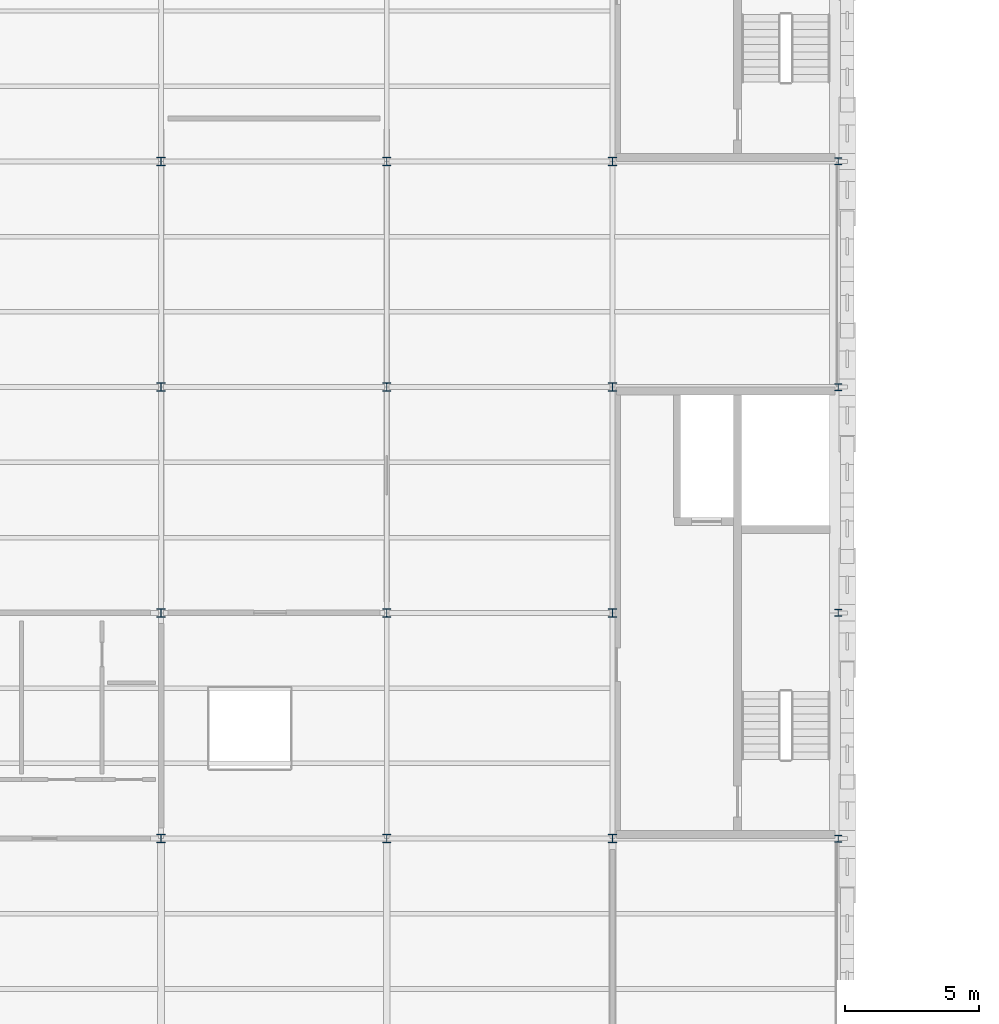
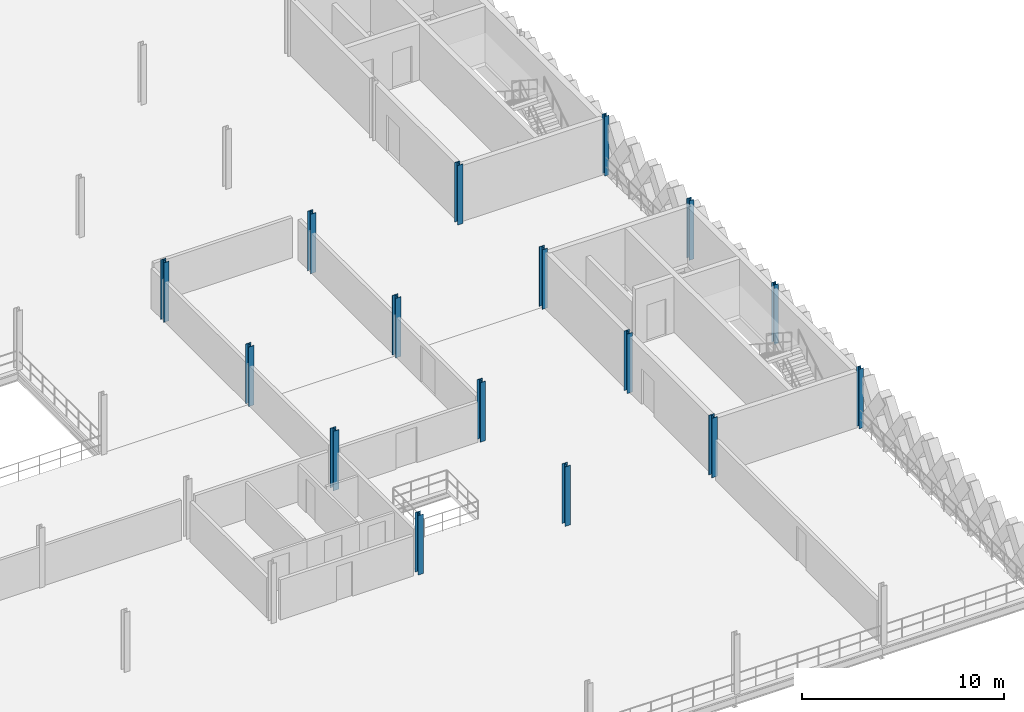
# One storey, part 6 of 47: 16 columns.
"""IFC4 building model written with IfcOpenShell, lengths in metres."""

from ifc_helpers import new_model, si_unit, direction, frame, origin, origin_2d, place, context, subcontext, project, spatial, i_section, extrude, material, material_profile, profile_set, type_object, element, save


model = new_model("IFC4")

# Units and contexts
model_context = context("Model", 3, precision=1e-05, world=origin(), true_north=direction((0.0, 1.0)))
body_context = subcontext(model_context, "Body", "Model", "MODEL_VIEW")
ifc_project = project(units=[si_unit("LENGTHUNIT", "METRE"), si_unit("AREAUNIT", "SQUARE_METRE"), si_unit("VOLUMEUNIT", "CUBIC_METRE"), si_unit("PLANEANGLEUNIT", "RADIAN"), si_unit("MASSUNIT", "GRAM", prefix="KILO"), si_unit("THERMODYNAMICTEMPERATUREUNIT", "KELVIN"), si_unit("POWERUNIT", "WATT")], contexts=[model_context])

# Site, building, storey
site_placement = place(None, origin())
site = spatial("IfcSite", under=ifc_project, at=site_placement, CompositionType="ELEMENT")
building_placement = place(site_placement, origin())
building = spatial("IfcBuilding", under=site, at=building_placement, Name="Tembeka Court Mobility Hub", CompositionType="ELEMENT")
storey_placement = place(building_placement, frame((0.0, 0.0, 19.800048828125)))
storey = spatial("IfcBuildingStorey", under=building, at=storey_placement, Name="L05", CompositionType="ELEMENT", Elevation=19.800048828125)

# Columns
ifc_material = material(Name="Steel S355", Category="steel")
ifc_material_profile_1 = material_profile(ifc_material, i_section(OverallWidth=0.30908203125, OverallDepth=0.321044921875, WebThickness=0.013916015625, FlangeThickness=0.021728515625, FilletRadius=0.01513671875, at=origin_2d()), Name="UKC 305x305x137")
ifc_profile_set_1 = profile_set([ifc_material_profile_1], Name="Steel S355")
column_type_1 = type_object("IfcColumnType", Name="COL-C04", PredefinedType="COLUMN", material=ifc_profile_set_1)
for number, where, z_axis, x_axis, name in (
    (1, (67.199951171875, 38.39990234375, 0.0), (0.0, 0.0, 1.0), (1.0, 0.0, 0.0), "Column C04 (L05-095)"),
    (2, (67.199951171875, 46.800048828125, 0.0), (0.0, 0.0, 1.0), (1.0, 0.0, 0.0), "Column C04 (L05-096)"),
    (3, (67.199951171875, 55.199951171875, 0.0), (0.0, 0.0, 1.0), (1.0, 0.0, 0.0), "Column C04 (L05-097)"),
    (4, (67.199951171875, 63.60009765625, 0.0), (0.0, 0.0, 1.0), (1.0, 0.0, 0.0), "Column C04 (L05-098)"),
    (5, (75.60009765625, 38.39990234375, 0.0), (0.0, 0.0, 1.0), (1.0, 0.0, 0.0), "Column C04 (L05-105)"),
    (6, (75.60009765625, 46.800048828125, 0.0), (0.0, 0.0, 1.0), (1.0, 0.0, 0.0), "Column C04 (L05-106)"),
    (7, (75.60009765625, 55.199951171875, 0.0), (0.0, 0.0, 1.0), (1.0, 0.0, 0.0), "Column C04 (L05-107)"),
    (8, (75.60009765625, 63.60009765625, 0.0), (0.0, 0.0, 1.0), (1.0, 0.0, 0.0), "Column C04 (L05-108)"),
    (9, (84.0, 38.39990234375, 0.0), (0.0, 0.0, 1.0), (1.0, 0.0, 0.0), "Column C04 (L05-116)"),
    (10, (84.0, 46.800048828125, 0.0), (0.0, 0.0, 1.0), (1.0, 0.0, 0.0), "Column C04 (L05-117)"),
    (11, (84.0, 55.199951171875, 0.0), (0.0, 0.0, 1.0), (1.0, 0.0, 0.0), "Column C04 (L05-118)"),
    (12, (84.0, 63.60009765625, 0.0), (0.0, 0.0, 1.0), (1.0, 0.0, 0.0), "Column C04 (L05-119)"),
):
    element("IfcColumn", number, at=place(storey_placement, frame(where, z_axis=z_axis, x_axis=x_axis)), inside=storey, type_object=column_type_1, Name=name, PredefinedType="COLUMN", context=body_context, shape_type="SweptSolid", body=[
        extrude(i_section(OverallWidth=0.30908203125, OverallDepth=0.321044921875, WebThickness=0.013916015625, FlangeThickness=0.021728515625, FilletRadius=0.01513671875, at=origin_2d()), origin(), (0.0, 0.0, 1.0), 3.599853515625),
    ])
ifc_material_profile_2 = material_profile(ifc_material, i_section(OverallWidth=0.256103515625, OverallDepth=0.260009765625, WebThickness=0.01025390625, FlangeThickness=0.017333984375, FilletRadius=0.0126953125, at=origin_2d()), Name="UKC 254x254x89")
ifc_profile_set_2 = profile_set([ifc_material_profile_2], Name="Steel S355")
column_type_2 = type_object("IfcColumnType", Name="COL-C05", PredefinedType="COLUMN", material=ifc_profile_set_2)
for number, where, z_axis, x_axis, name in (
    (13, (92.39990234375, 38.39990234375, 0.0), (0.0, 0.0, 1.0), (1.0, 0.0, 0.0), "Column C05 (L05-128)"),
    (14, (92.39990234375, 46.800048828125, 0.0), (0.0, 0.0, 1.0), (1.0, 0.0, 0.0), "Column C05 (L05-129)"),
    (15, (92.39990234375, 55.199951171875, 0.0), (0.0, 0.0, 1.0), (1.0, 0.0, 0.0), "Column C05 (L05-130)"),
    (16, (92.39990234375, 63.60009765625, 0.0), (0.0, 0.0, 1.0), (1.0, 0.0, 0.0), "Column C05 (L05-131)"),
):
    element("IfcColumn", number, at=place(storey_placement, frame(where, z_axis=z_axis, x_axis=x_axis)), inside=storey, type_object=column_type_2, Name=name, PredefinedType="COLUMN", context=body_context, shape_type="SweptSolid", body=[
        extrude(i_section(OverallWidth=0.256103515625, OverallDepth=0.260009765625, WebThickness=0.01025390625, FlangeThickness=0.017333984375, FilletRadius=0.0126953125, at=origin_2d()), origin(), (0.0, 0.0, 1.0), 3.599853515625),
    ])

save(model, "model.ifc")
